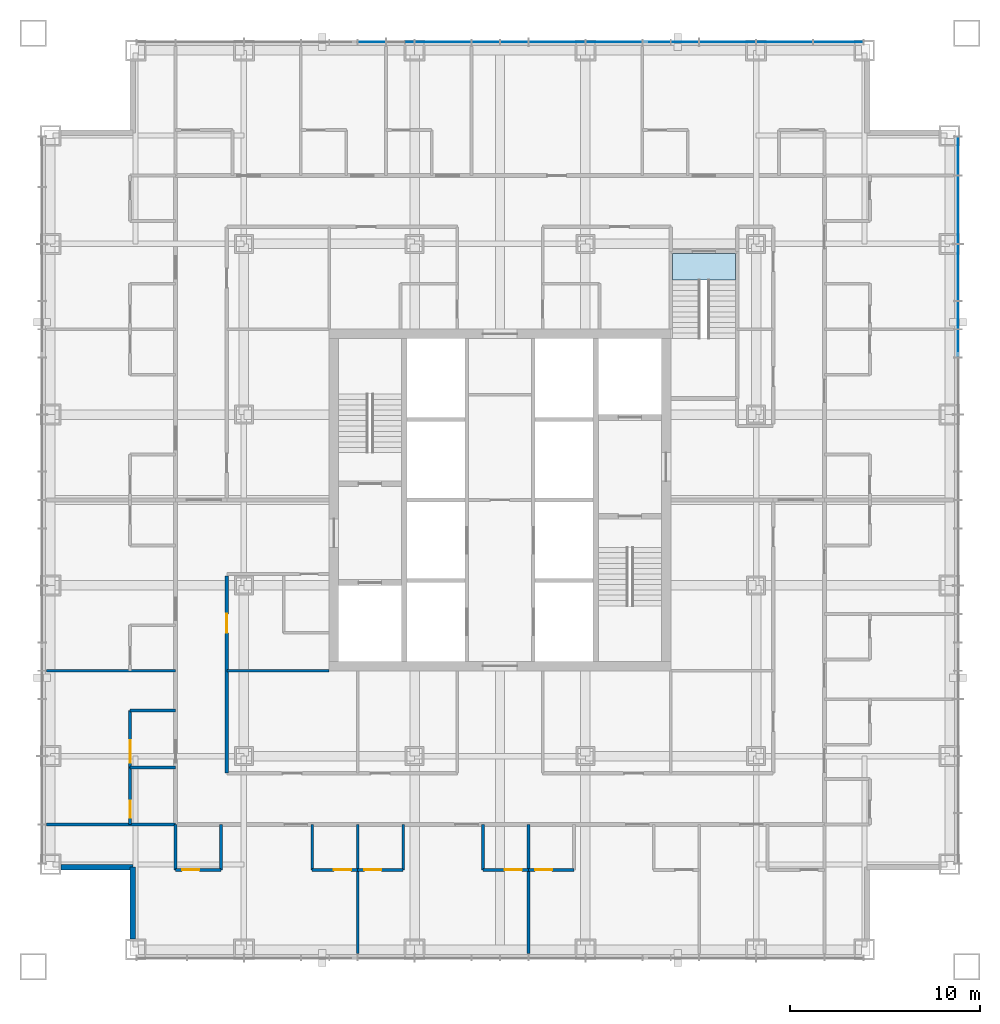
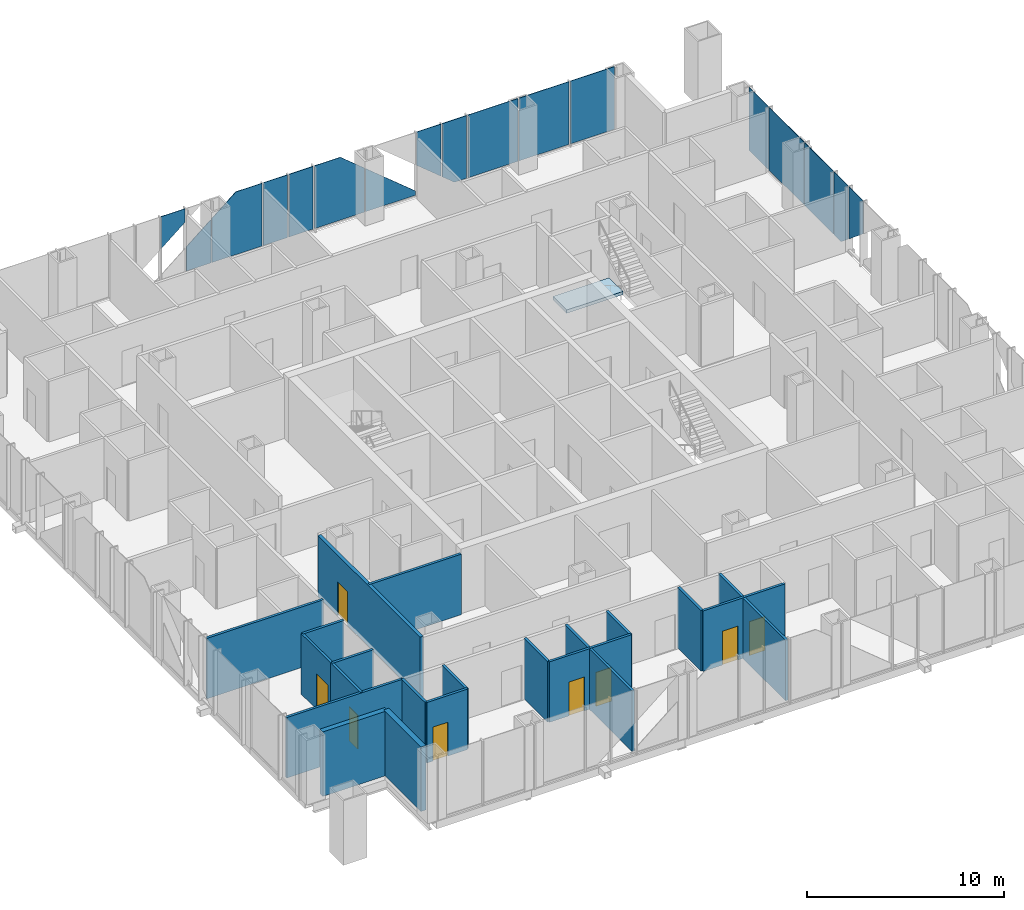
# One storey, part 8 of 18: 22 walls, 17 plates, 8 doors, 1 slab, 8 openings, 3 elements without a shape of their own.
"""IFC4 building model written with IfcOpenShell, lengths in metres."""

from ifc_helpers import new_model, si_unit, direction, frame, frame_2d, origin, origin_2d, place, context, subcontext, project, spatial, polyline, rectangle, outline, extrude, material, layer, layer_set, type_object, element, fill, aggregate, save


model = new_model("IFC4")

# Units and contexts
model_context = context("Model", 3, precision=1e-05, world=origin(), true_north=direction((0.0, 1.0)))
body_context = subcontext(model_context, "Body", "Model", "MODEL_VIEW")
ifc_project = project(units=[si_unit("LENGTHUNIT", "METRE"), si_unit("AREAUNIT", "SQUARE_METRE"), si_unit("VOLUMEUNIT", "CUBIC_METRE"), si_unit("PLANEANGLEUNIT", "RADIAN"), si_unit("MASSUNIT", "GRAM", prefix="KILO")], contexts=[model_context])

# Site, building, storey
site_placement = place(None, origin())
site = spatial("IfcSite", under=ifc_project, at=site_placement, CompositionType="ELEMENT")
building_placement = place(site_placement, origin())
building = spatial("IfcBuilding", under=site, at=building_placement, Name="Malebo Sky Hospital", CompositionType="ELEMENT")
storey_placement = place(building_placement, frame((0.0, 0.0, 112.0)))
storey = spatial("IfcBuildingStorey", under=building, at=storey_placement, Name="L26", CompositionType="ELEMENT", Elevation=112.0)

# Stair, slab
ifc_material_1 = material(Name="Concrete C40/50", Category="concrete")
stair_type = type_object("IfcStairType", Name="HALF-TURN STAIR 1400 R167", PredefinedType="HALF_TURN_STAIR", material=ifc_material_1)
stair_placement = place(storey_placement, origin())
stair = element("IfcStair", 1, at=stair_placement, inside=storey, type_object=stair_type, Name="Stair S3 L26 type ST1B", PredefinedType="HALF_TURN_STAIR")
ifc_layer_1 = layer(ifc_material_1, 0.199951171875)
ifc_layer_set_1 = layer_set([ifc_layer_1], Name="STAIR LANDING 200")
slab_type = type_object("IfcSlabType", Name="STAIR LANDING 200", PredefinedType="LANDING", material=ifc_layer_set_1)
slab_placement = place(storey_placement, frame((0.0, 0.0, -0.199951171875)))
slab = element("IfcSlab", 2, at=slab_placement, type_object=slab_type, Name="S3 landing 1", PredefinedType="LANDING", context=body_context, shape_type="SweptSolid", body=[
    extrude(outline(polyline([(69.10009765625, 73.60009765625), (72.39990234375, 73.60009765625), (72.39990234375, 75.0), (69.10009765625, 75.0), (69.10009765625, 73.60009765625)])), origin(), (0.0, 0.0, 1.0), 0.199951171875),
])
aggregate(stair, [slab])

# Curtain wall, plates
ifc_material_2 = material(Name="Anodised aluminium, natural silver", Category="aluminium")
ifc_layer_2 = layer(ifc_material_2, 0.25)
ifc_layer_set_2 = layer_set([ifc_layer_2], Name="WARD CURTAIN WALL NORTH AND SOUTH")
curtain_wall_type_1 = type_object("IfcCurtainWallType", Name="WARD CURTAIN WALL NORTH AND SOUTH", PredefinedType="NOTDEFINED", material=ifc_layer_set_2)
curtain_wall_1_placement = place(storey_placement, origin())
curtain_wall_1 = element("IfcCurtainWall", 3, at=curtain_wall_1_placement, inside=storey, type_object=curtain_wall_type_1, Name="NS curtain wall N", PredefinedType="NOTDEFINED")
ifc_material_3 = material(Name="Clear low-iron double glazing", Category="glass")
ifc_layer_3 = layer(ifc_material_3, 0.031982421875)
ifc_layer_set_3 = layer_set([ifc_layer_3], Name="VISION PANEL CLEAR 32")
plate_type = type_object("IfcPlateType", Name="VISION PANEL CLEAR 32", PredefinedType="CURTAIN_PANEL", material=ifc_layer_set_3)
plate_1_placement = place(storey_placement, frame((53.25, 86.135009765625, 1.985107421875), z_axis=(0.0, 0.0, 1.0), x_axis=(1.0, 0.0, 0.0)))
plate_1 = element("IfcPlate", 4, at=plate_1_placement, type_object=plate_type, Name="Panel 6", PredefinedType="CURTAIN_PANEL", context=body_context, shape_type="SweptSolid", body=[
    extrude(outline(polyline([(-0.71240234375, 0.0), (0.71240234375, 1.17431640625), (0.71240234375, 2.0048828125), (-0.71240234375, 2.0048828125), (-0.71240234375, 0.0)])), frame((0.0, 0.01611328125, 0.0), z_axis=(0.0, -1.0, 0.0), x_axis=(1.0, 0.0, 0.0)), (0.0, 0.0, 1.0), 0.031982421875),
])
plate_2_placement = place(storey_placement, frame((54.75, 86.135009765625, 0.10009765625), z_axis=(0.0, 0.0, 1.0), x_axis=(1.0, 0.0, 0.0)))
plate_2 = element("IfcPlate", 5, at=plate_2_placement, type_object=plate_type, Name="Panel 7", PredefinedType="CURTAIN_PANEL", context=body_context, shape_type="SweptSolid", body=[
    extrude(outline(polyline([(-0.71240234375, 0.0), (0.71240234375, 0.0), (0.71240234375, 2.6748046875), (-0.71240234375, 1.500244140625), (-0.71240234375, 0.0)])), frame((0.0, 0.01611328125, 0.0), z_axis=(0.0, -1.0, 0.0), x_axis=(1.0, 0.0, 0.0)), (0.0, 0.0, 1.0), 0.031982421875),
])
plate_3_placement = place(storey_placement, frame((57.0, 86.135009765625, 0.10009765625), z_axis=(0.0, 0.0, 1.0), x_axis=(1.0, 0.0, 0.0)))
plate_3 = element("IfcPlate", 6, at=plate_3_placement, type_object=plate_type, Name="Panel 8", PredefinedType="CURTAIN_PANEL", context=body_context, shape_type="SweptSolid", body=[
    extrude(outline(polyline([(-1.46240234375, 0.0), (1.46240234375, 0.0), (1.46240234375, 3.889892578125), (-0.06298828125, 3.889892578125), (-1.46240234375, 2.736572265625), (-1.46240234375, 0.0)])), frame((0.0, 0.01611328125, 0.0), z_axis=(0.0, -1.0, 0.0), x_axis=(1.0, 0.0, 0.0)), (0.0, 0.0, 1.0), 0.031982421875),
])
plate_4_placement = place(storey_placement, frame((59.25, 86.135009765625, 0.10009765625), z_axis=(0.0, 0.0, 1.0), x_axis=(1.0, 0.0, 0.0)))
plate_4 = element("IfcPlate", 7, at=plate_4_placement, type_object=plate_type, Name="Panel 9", PredefinedType="CURTAIN_PANEL", context=body_context, shape_type="SweptSolid", body=[
    extrude(rectangle(XDim=1.425048828125, YDim=0.031982421875, at=origin_2d()), origin(), (0.0, 0.0, 1.0), 3.889892578125),
])
plate_5_placement = place(storey_placement, frame((60.75, 86.135009765625, 0.10009765625), z_axis=(0.0, 0.0, 1.0), x_axis=(1.0, 0.0, 0.0)))
plate_5 = element("IfcPlate", 8, at=plate_5_placement, type_object=plate_type, Name="Panel 10", PredefinedType="CURTAIN_PANEL", context=body_context, shape_type="SweptSolid", body=[
    extrude(rectangle(XDim=1.425048828125, YDim=0.031982421875, at=origin_2d()), origin(), (0.0, 0.0, 1.0), 3.889892578125),
])
plate_6_placement = place(storey_placement, frame((63.0, 86.135009765625, 0.10009765625), z_axis=(0.0, 0.0, 1.0), x_axis=(1.0, 0.0, 0.0)))
plate_6 = element("IfcPlate", 9, at=plate_6_placement, type_object=plate_type, Name="Panel 11", PredefinedType="CURTAIN_PANEL", context=body_context, shape_type="SweptSolid", body=[
    extrude(outline(polyline([(-1.46240234375, 0.0), (1.46240234375, 0.0), (1.46240234375, 2.736572265625), (0.06298828125, 3.889892578125), (-1.46240234375, 3.889892578125), (-1.46240234375, 0.0)])), frame((0.0, 0.01611328125, 0.0), z_axis=(0.0, -1.0, 0.0), x_axis=(1.0, 0.0, 0.0)), (0.0, 0.0, 1.0), 0.031982421875),
])
plate_7_placement = place(storey_placement, frame((66.0, 86.135009765625, 0.10009765625), z_axis=(0.0, 0.0, 1.0), x_axis=(1.0, 0.0, 0.0)))
plate_7 = element("IfcPlate", 10, at=plate_7_placement, type_object=plate_type, Name="Panel 12", PredefinedType="CURTAIN_PANEL", context=body_context, shape_type="SweptSolid", body=[
    extrude(outline(polyline([(-1.46240234375, 0.0), (1.46240234375, 0.0), (1.46240234375, 0.263916015625), (-1.46240234375, 2.6748046875), (-1.46240234375, 0.0)])), frame((0.0, 0.01611328125, 0.0), z_axis=(0.0, -1.0, 0.0), x_axis=(1.0, 0.0, 0.0)), (0.0, 0.0, 1.0), 0.031982421875),
])
plate_8_placement = place(storey_placement, frame((68.25, 86.135009765625, 0.748779296875), z_axis=(0.0, 0.0, 1.0), x_axis=(1.0, 0.0, 0.0)))
plate_8 = element("IfcPlate", 11, at=plate_8_placement, type_object=plate_type, Name="Panel 13", PredefinedType="CURTAIN_PANEL", context=body_context, shape_type="SweptSolid", body=[
    extrude(outline(polyline([(0.71240234375, 0.0), (0.71240234375, 3.2412109375), (-0.71240234375, 3.2412109375), (-0.71240234375, 1.17431640625), (0.71240234375, 0.0)])), frame((0.0, 0.01611328125, 0.0), z_axis=(0.0, -1.0, 0.0), x_axis=(1.0, 0.0, 0.0)), (0.0, 0.0, 1.0), 0.031982421875),
])
plate_9_placement = place(storey_placement, frame((69.75, 86.135009765625, 0.10009765625), z_axis=(0.0, 0.0, 1.0), x_axis=(1.0, 0.0, 0.0)))
plate_9 = element("IfcPlate", 12, at=plate_9_placement, type_object=plate_type, Name="Panel 14", PredefinedType="CURTAIN_PANEL", context=body_context, shape_type="SweptSolid", body=[
    extrude(outline(polyline([(-0.000244140625, 0.0), (0.71240234375, 0.0), (0.71240234375, 3.889892578125), (-0.71240234375, 3.889892578125), (-0.71240234375, 0.587158203125), (-0.000244140625, 0.0)])), frame((0.0, 0.01611328125, 0.0), z_axis=(0.0, -1.0, 0.0), x_axis=(1.0, 0.0, 0.0)), (0.0, 0.0, 1.0), 0.031982421875),
])
plate_10_placement = place(storey_placement, frame((72.0, 86.135009765625, 0.10009765625), z_axis=(0.0, 0.0, 1.0), x_axis=(1.0, 0.0, 0.0)))
plate_10 = element("IfcPlate", 13, at=plate_10_placement, type_object=plate_type, Name="Panel 15", PredefinedType="CURTAIN_PANEL", context=body_context, shape_type="SweptSolid", body=[
    extrude(rectangle(XDim=2.925048828125, YDim=0.031982421875, at=origin_2d()), origin(), (0.0, 0.0, 1.0), 3.889892578125),
])
plate_11_placement = place(storey_placement, frame((75.0, 86.135009765625, 0.10009765625), z_axis=(0.0, 0.0, 1.0), x_axis=(1.0, 0.0, 0.0)))
plate_11 = element("IfcPlate", 14, at=plate_11_placement, type_object=plate_type, Name="Panel 16", PredefinedType="CURTAIN_PANEL", context=body_context, shape_type="SweptSolid", body=[
    extrude(rectangle(XDim=2.925048828125, YDim=0.031982421875, at=origin_2d()), origin(), (0.0, 0.0, 1.0), 3.889892578125),
])
plate_12_placement = place(storey_placement, frame((77.831298828125, 86.135009765625, 0.10009765625), z_axis=(0.0, 0.0, 1.0), x_axis=(1.0, 0.0, 0.0)))
plate_12 = element("IfcPlate", 15, at=plate_12_placement, type_object=plate_type, Name="Panel 17", PredefinedType="CURTAIN_PANEL", context=body_context, shape_type="SweptSolid", body=[
    extrude(rectangle(XDim=2.58740234375, YDim=0.031982421875, at=origin_2d()), origin(), (0.0, 0.0, 1.0), 3.889892578125),
])
aggregate(curtain_wall_1, [plate_1, plate_2, plate_3, plate_4, plate_5, plate_6, plate_7, plate_8, plate_9, plate_10, plate_11, plate_12])

ifc_layer_4 = layer(ifc_material_2, 0.25)
ifc_layer_set_4 = layer_set([ifc_layer_4], Name="WARD CURTAIN WALL EAST AND WEST")
curtain_wall_type_2 = type_object("IfcCurtainWallType", Name="WARD CURTAIN WALL EAST AND WEST", PredefinedType="NOTDEFINED", material=ifc_layer_set_4)
curtain_wall_2_placement = place(storey_placement, origin())
curtain_wall_2 = element("IfcCurtainWall", 16, at=curtain_wall_2_placement, inside=storey, type_object=curtain_wall_type_2, Name="EW curtain wall E", PredefinedType="NOTDEFINED")
plate_13_placement = place(storey_placement, frame((84.135009765625, 80.13134765625, 0.10009765625), z_axis=(0.0, 0.0, 1.0), x_axis=(0.0, -1.0, 0.0)))
plate_13 = element("IfcPlate", 17, at=plate_13_placement, type_object=plate_type, Name="Panel 1", PredefinedType="CURTAIN_PANEL", context=body_context, shape_type="SweptSolid", body=[
    extrude(rectangle(XDim=1.987548828125, YDim=0.031982421875, at=origin_2d()), origin(), (0.0, 0.0, 1.0), 3.889892578125),
])
plate_14_placement = place(storey_placement, frame((84.135009765625, 77.300048828125, 0.10009765625), z_axis=(0.0, 0.0, 1.0), x_axis=(0.0, -1.0, 0.0)))
plate_14 = element("IfcPlate", 18, at=plate_14_placement, type_object=plate_type, Name="Panel 2", PredefinedType="CURTAIN_PANEL", context=body_context, shape_type="SweptSolid", body=[
    extrude(rectangle(XDim=3.52490234375, YDim=0.031982421875, at=origin_2d()), origin(), (0.0, 0.0, 1.0), 3.889892578125),
])
plate_15_placement = place(storey_placement, frame((84.135009765625, 74.0, 0.10009765625), z_axis=(0.0, 0.0, 1.0), x_axis=(0.0, -1.0, 0.0)))
plate_15 = element("IfcPlate", 19, at=plate_15_placement, type_object=plate_type, Name="Panel 3", PredefinedType="CURTAIN_PANEL", context=body_context, shape_type="SweptSolid", body=[
    extrude(rectangle(XDim=2.925048828125, YDim=0.031982421875, at=origin_2d()), origin(), (0.0, 0.0, 1.0), 3.889892578125),
])
plate_16_placement = place(storey_placement, frame((84.135009765625, 71.75, 0.10009765625), z_axis=(0.0, 0.0, 1.0), x_axis=(0.0, -1.0, 0.0)))
plate_16 = element("IfcPlate", 20, at=plate_16_placement, type_object=plate_type, Name="Panel 4", PredefinedType="CURTAIN_PANEL", context=body_context, shape_type="SweptSolid", body=[
    extrude(outline(polyline([(-0.71240234375, 0.0), (0.000244140625, 0.0), (0.71240234375, 0.587158203125), (0.71240234375, 3.889892578125), (-0.71240234375, 3.889892578125), (-0.71240234375, 0.0)])), frame((0.0, 0.01611328125, 0.0), z_axis=(0.0, -1.0, 0.0), x_axis=(1.0, 0.0, 0.0)), (0.0, 0.0, 1.0), 0.031982421875),
])
plate_17_placement = place(storey_placement, frame((84.135009765625, 70.25, 0.748779296875), z_axis=(0.0, 0.0, 1.0), x_axis=(0.0, -1.0, 0.0)))
plate_17 = element("IfcPlate", 21, at=plate_17_placement, type_object=plate_type, Name="Panel 5", PredefinedType="CURTAIN_PANEL", context=body_context, shape_type="SweptSolid", body=[
    extrude(outline(polyline([(-0.71240234375, 0.0), (0.71240234375, 1.17431640625), (0.71240234375, 3.2412109375), (-0.71240234375, 3.2412109375), (-0.71240234375, 0.0)])), frame((0.0, 0.01611328125, 0.0), z_axis=(0.0, -1.0, 0.0), x_axis=(1.0, 0.0, 0.0)), (0.0, 0.0, 1.0), 0.031982421875),
])
aggregate(curtain_wall_2, [plate_13, plate_14, plate_15, plate_16, plate_17])

# Wall, opening, door
ifc_material_4 = material(Name="Gypsum board on steel studs", Category="steel")
ifc_layer_5 = layer(ifc_material_4, 0.199951171875)
ifc_layer_set_5 = layer_set([ifc_layer_5], Name="CORRIDOR WALL 200")
wall_type_1 = type_object("IfcWallType", Name="CORRIDOR WALL 200", PredefinedType="PARTITIONING", material=ifc_layer_set_5)
wall_1_placement = place(storey_placement, frame((45.60009765625, 47.60009765625, 0.0), z_axis=(0.0, 0.0, 1.0), x_axis=(0.0, 1.0, 0.0)))
wall_1 = element("IfcWall", 22, at=wall_1_placement, inside=storey, type_object=wall_type_1, Name="Corridor Wall 200 WCI1", PredefinedType="PARTITIONING", context=body_context, shape_type="SweptSolid", body=[
    extrude(rectangle(XDim=10.39990234375, YDim=0.199951171875, at=frame_2d((5.199951171875, 0.0))), origin(), (0.0, 0.0, 1.0), 3.75),
])
opening_1_placement = place(wall_1_placement, frame((7.39990234375, 0.0, 0.0)))
opening_1 = element("IfcOpeningElement", 23, at=opening_1_placement, cuts=wall_1, Name="Opening D03", PredefinedType="OPENING", context=body_context, shape_type="SweptSolid", body=[
    extrude(rectangle(XDim=1.0, YDim=2.10009765625, at=frame_2d((0.5, 1.050048828125))), frame((0.0, 0.10986328125, 0.0), z_axis=(0.0, -1.0, 0.0), x_axis=(1.0, 0.0, 0.0)), (0.0, 0.0, 1.0), 0.219970703125),
])
ifc_material_5 = material(Name="Hardwood-faced door leaf in steel frame", Category="steel")
door_type_1 = type_object("IfcDoorType", Name="ROOM DOOR 1000", OperationType="SINGLE_SWING_LEFT", PredefinedType="DOOR", material=ifc_material_5)
door_1_placement = place(opening_1_placement, origin())
door_1 = element("IfcDoor", 24, at=door_1_placement, inside=storey, type_object=door_type_1, Name="Linen store door", OperationType="SINGLE_SWING_LEFT", OverallHeight=2.10009765625, OverallWidth=1.0, PredefinedType="DOOR", context=body_context, shape_type="SweptSolid", body=[
    extrude(rectangle(XDim=1.0, YDim=2.10009765625, at=frame_2d((0.5, 1.050048828125))), frame((0.0, 0.02490234375, 0.0), z_axis=(0.0, -1.0, 0.0), x_axis=(1.0, 0.0, 0.0)), (0.0, 0.0, 1.0), 0.050048828125),
])
fill(opening_1, door_1)

# Walls
ifc_material_6 = material(Name="Anodised aluminium rainscreen on steel framing", Category="steel")
ifc_layer_6 = layer(ifc_material_6, 0.300048828125)
ifc_layer_set_6 = layer_set([ifc_layer_6], Name="NOTCH RAINSCREEN WALL 300")
wall_type_2 = type_object("IfcWallType", Name="NOTCH RAINSCREEN WALL 300", PredefinedType="ELEMENTEDWALL", material=ifc_layer_set_6)
for number, where, z_axis, x_axis, name in (
    (25, (40.64990234375, 38.85009765625, 0.0), (0.0, 0.0, 1.0), (0.0, 1.0, 0.0), "Notch rainscreen wall S1 L26"),
    (26, (40.64990234375, 42.64990234375, 0.0), (0.0, 0.0, 1.0), (-1.0, 0.0, 0.0), "Notch rainscreen wall S2 L26"),
):
    element("IfcWall", number, at=place(storey_placement, frame(where, z_axis=z_axis, x_axis=x_axis)), inside=storey, type_object=wall_type_2, Name=name, PredefinedType="ELEMENTEDWALL", context=body_context, shape_type="SweptSolid", body=[
        extrude(rectangle(XDim=3.7998046875, YDim=0.300048828125, at=frame_2d((1.89990234375, 0.0))), origin(), (0.0, 0.0, 1.0), 4.0),
    ])
ifc_layer_7 = layer(ifc_material_4, 0.14990234375)
ifc_layer_set_7 = layer_set([ifc_layer_7], Name="PARTITION 150")
wall_type_3 = type_object("IfcWallType", Name="PARTITION 150", PredefinedType="PARTITIONING", material=ifc_layer_set_7)
for number, where, z_axis, x_axis, name in (
    (27, (42.89990234375, 53.0, 0.0), (0.0, 0.0, 1.0), (-1.0, 0.0, 0.0), "Partition 150 WP-9.0"),
    (28, (42.89990234375, 44.89990234375, 0.0), (0.0, 0.0, 1.0), (-1.0, 0.0, 0.0), "Partition 150 WP0"),
):
    element("IfcWall", number, at=place(storey_placement, frame(where, z_axis=z_axis, x_axis=x_axis)), inside=storey, type_object=wall_type_3, Name=name, PredefinedType="PARTITIONING", context=body_context, shape_type="SweptSolid", body=[
        extrude(rectangle(XDim=6.809814453125, YDim=0.14990234375, at=frame_2d((3.40478515625, 0.0))), origin(), (0.0, 0.0, 1.0), 3.75),
    ])

# Wall, opening, door
wall_2_placement = place(storey_placement, frame((40.5, 44.89990234375, 0.0), z_axis=(0.0, 0.0, 1.0), x_axis=(0.0, 1.0, 0.0)))
wall_2 = element("IfcWall", 29, at=wall_2_placement, inside=storey, type_object=wall_type_3, Name="Partition 150 WE0F", PredefinedType="PARTITIONING", context=body_context, shape_type="SweptSolid", body=[
    extrude(rectangle(XDim=3.0, YDim=0.14990234375, at=frame_2d((1.5, 0.0))), origin(), (0.0, 0.0, 1.0), 3.75),
])
opening_2_placement = place(wall_2_placement, frame((0.35009765625, 0.0, 0.0)))
opening_2 = element("IfcOpeningElement", 30, at=opening_2_placement, cuts=wall_2, Name="Opening D02", PredefinedType="OPENING", context=body_context, shape_type="SweptSolid", body=[
    extrude(rectangle(XDim=0.89990234375, YDim=2.10009765625, at=frame_2d((0.449951171875, 1.050048828125))), frame((0.0, 0.0849609375, 0.0), z_axis=(0.0, -1.0, 0.0), x_axis=(1.0, 0.0, 0.0)), (0.0, 0.0, 1.0), 0.169921875),
])
door_type_2 = type_object("IfcDoorType", Name="EN-SUITE DOOR 900", OperationType="SINGLE_SWING_LEFT", PredefinedType="DOOR", material=ifc_material_5)
door_2_placement = place(opening_2_placement, origin())
door_2 = element("IfcDoor", 31, at=door_2_placement, inside=storey, type_object=door_type_2, Name="En-suite door", OperationType="SINGLE_SWING_LEFT", OverallHeight=2.10009765625, OverallWidth=0.89990234375, PredefinedType="DOOR", context=body_context, shape_type="SweptSolid", body=[
    extrude(rectangle(XDim=0.89990234375, YDim=2.10009765625, at=frame_2d((0.449951171875, 1.050048828125))), frame((0.0, 0.02490234375, 0.0), z_axis=(0.0, -1.0, 0.0), x_axis=(1.0, 0.0, 0.0)), (0.0, 0.0, 1.0), 0.050048828125),
])
fill(opening_2, door_2)

# Walls
wall_3_placement = place(storey_placement, frame((42.89990234375, 47.89990234375, 0.0), z_axis=(0.0, 0.0, 1.0), x_axis=(-1.0, 0.0, 0.0)))
element("IfcWall", 32, at=wall_3_placement, inside=storey, type_object=wall_type_3, Name="Partition 150 WE0S", PredefinedType="PARTITIONING", context=body_context, shape_type="SweptSolid", body=[
    extrude(rectangle(XDim=2.39990234375, YDim=0.14990234375, at=frame_2d((1.199951171875, 0.0))), origin(), (0.0, 0.0, 1.0), 3.75),
])
wall_4_placement = place(storey_placement, frame((51.0, 53.0, 0.0), z_axis=(0.0, 0.0, 1.0), x_axis=(-1.0, 0.0, 0.0)))
element("IfcWall", 33, at=wall_4_placement, inside=storey, type_object=wall_type_3, Name="Partition 150 WSP0", PredefinedType="PARTITIONING", context=body_context, shape_type="SweptSolid", body=[
    extrude(rectangle(XDim=5.39990234375, YDim=0.14990234375, at=frame_2d((2.699951171875, 0.0))), origin(), (0.0, 0.0, 1.0), 3.75),
])
for number, where, z_axis, x_axis, name in (
    (34, (61.5, 44.89990234375, 0.0), (0.0, 0.0, 1.0), (0.0, -1.0, 0.0), "Partition 150 SP-1.5"),
    (35, (52.5, 44.89990234375, 0.0), (0.0, 0.0, 1.0), (0.0, -1.0, 0.0), "Partition 150 SP+7.5"),
):
    element("IfcWall", number, at=place(storey_placement, frame(where, z_axis=z_axis, x_axis=x_axis)), inside=storey, type_object=wall_type_3, Name=name, PredefinedType="PARTITIONING", context=body_context, shape_type="SweptSolid", body=[
        extrude(rectangle(XDim=6.809814453125, YDim=0.14990234375, at=frame_2d((3.40478515625, 0.0))), origin(), (0.0, 0.0, 1.0), 3.75),
    ])

# Wall, opening, door
wall_5_placement = place(storey_placement, frame((63.89990234375, 42.5, 0.0), z_axis=(0.0, 0.0, 1.0), x_axis=(-1.0, 0.0, 0.0)))
wall_5 = element("IfcWall", 36, at=wall_5_placement, inside=storey, type_object=wall_type_3, Name="Partition 150 SG1F", PredefinedType="PARTITIONING", context=body_context, shape_type="SweptSolid", body=[
    extrude(rectangle(XDim=2.39990234375, YDim=0.14990234375, at=frame_2d((1.199951171875, 0.0))), origin(), (0.0, 0.0, 1.0), 3.75),
])
opening_3_placement = place(wall_5_placement, frame((1.14990234375, 0.0, 0.0)))
opening_3 = element("IfcOpeningElement", 37, at=opening_3_placement, cuts=wall_5, Name="Opening D02", PredefinedType="OPENING", context=body_context, shape_type="SweptSolid", body=[
    extrude(rectangle(XDim=0.89990234375, YDim=2.10009765625, at=frame_2d((0.449951171875, 1.050048828125))), frame((0.0, 0.0849609375, 0.0), z_axis=(0.0, -1.0, 0.0), x_axis=(1.0, 0.0, 0.0)), (0.0, 0.0, 1.0), 0.169921875),
])
door_3_placement = place(opening_3_placement, origin())
door_3 = element("IfcDoor", 38, at=door_3_placement, inside=storey, type_object=door_type_2, Name="En-suite door", OperationType="SINGLE_SWING_RIGHT", OverallHeight=2.10009765625, OverallWidth=0.89990234375, PredefinedType="DOOR", context=body_context, shape_type="SweptSolid", body=[
    extrude(rectangle(XDim=0.89990234375, YDim=2.10009765625, at=frame_2d((0.449951171875, 1.050048828125))), frame((0.0, 0.02490234375, 0.0), z_axis=(0.0, -1.0, 0.0), x_axis=(1.0, 0.0, 0.0)), (0.0, 0.0, 1.0), 0.050048828125),
])
fill(opening_3, door_3)

wall_6_placement = place(storey_placement, frame((61.5, 42.5, 0.0), z_axis=(0.0, 0.0, 1.0), x_axis=(-1.0, 0.0, 0.0)))
wall_6 = element("IfcWall", 39, at=wall_6_placement, inside=storey, type_object=wall_type_3, Name="Partition 150 SE2F", PredefinedType="PARTITIONING", context=body_context, shape_type="SweptSolid", body=[
    extrude(rectangle(XDim=2.39990234375, YDim=0.14990234375, at=frame_2d((1.199951171875, 0.0))), origin(), (0.0, 0.0, 1.0), 3.75),
])
opening_4_placement = place(wall_6_placement, frame((0.35009765625, 0.0, 0.0)))
opening_4 = element("IfcOpeningElement", 40, at=opening_4_placement, cuts=wall_6, Name="Opening D02", PredefinedType="OPENING", context=body_context, shape_type="SweptSolid", body=[
    extrude(rectangle(XDim=0.89990234375, YDim=2.10009765625, at=frame_2d((0.449951171875, 1.050048828125))), frame((0.0, 0.0849609375, 0.0), z_axis=(0.0, -1.0, 0.0), x_axis=(1.0, 0.0, 0.0)), (0.0, 0.0, 1.0), 0.169921875),
])
door_4_placement = place(opening_4_placement, origin())
door_4 = element("IfcDoor", 41, at=door_4_placement, inside=storey, type_object=door_type_2, Name="En-suite door", OperationType="SINGLE_SWING_LEFT", OverallHeight=2.10009765625, OverallWidth=0.89990234375, PredefinedType="DOOR", context=body_context, shape_type="SweptSolid", body=[
    extrude(rectangle(XDim=0.89990234375, YDim=2.10009765625, at=frame_2d((0.449951171875, 1.050048828125))), frame((0.0, 0.02490234375, 0.0), z_axis=(0.0, -1.0, 0.0), x_axis=(1.0, 0.0, 0.0)), (0.0, 0.0, 1.0), 0.050048828125),
])
fill(opening_4, door_4)

# Wall
wall_7_placement = place(storey_placement, frame((59.10009765625, 44.89990234375, 0.0), z_axis=(0.0, 0.0, 1.0), x_axis=(0.0, -1.0, 0.0)))
element("IfcWall", 42, at=wall_7_placement, inside=storey, type_object=wall_type_3, Name="Partition 150 SE2S", PredefinedType="PARTITIONING", context=body_context, shape_type="SweptSolid", body=[
    extrude(rectangle(XDim=2.39990234375, YDim=0.14990234375, at=frame_2d((1.199951171875, 0.0))), origin(), (0.0, 0.0, 1.0), 3.75),
])

# Wall, opening, door
wall_8_placement = place(storey_placement, frame((54.89990234375, 42.5, 0.0), z_axis=(0.0, 0.0, 1.0), x_axis=(-1.0, 0.0, 0.0)))
wall_8 = element("IfcWall", 43, at=wall_8_placement, inside=storey, type_object=wall_type_3, Name="Partition 150 SG2F", PredefinedType="PARTITIONING", context=body_context, shape_type="SweptSolid", body=[
    extrude(rectangle(XDim=2.39990234375, YDim=0.14990234375, at=frame_2d((1.199951171875, 0.0))), origin(), (0.0, 0.0, 1.0), 3.75),
])
opening_5_placement = place(wall_8_placement, frame((1.14990234375, 0.0, 0.0)))
opening_5 = element("IfcOpeningElement", 44, at=opening_5_placement, cuts=wall_8, Name="Opening D02", PredefinedType="OPENING", context=body_context, shape_type="SweptSolid", body=[
    extrude(rectangle(XDim=0.89990234375, YDim=2.10009765625, at=frame_2d((0.449951171875, 1.050048828125))), frame((0.0, 0.0849609375, 0.0), z_axis=(0.0, -1.0, 0.0), x_axis=(1.0, 0.0, 0.0)), (0.0, 0.0, 1.0), 0.169921875),
])
door_5_placement = place(opening_5_placement, origin())
door_5 = element("IfcDoor", 45, at=door_5_placement, inside=storey, type_object=door_type_2, Name="En-suite door", OperationType="SINGLE_SWING_RIGHT", OverallHeight=2.10009765625, OverallWidth=0.89990234375, PredefinedType="DOOR", context=body_context, shape_type="SweptSolid", body=[
    extrude(rectangle(XDim=0.89990234375, YDim=2.10009765625, at=frame_2d((0.449951171875, 1.050048828125))), frame((0.0, 0.02490234375, 0.0), z_axis=(0.0, -1.0, 0.0), x_axis=(1.0, 0.0, 0.0)), (0.0, 0.0, 1.0), 0.050048828125),
])
fill(opening_5, door_5)

# Wall
wall_9_placement = place(storey_placement, frame((54.89990234375, 44.89990234375, 0.0), z_axis=(0.0, 0.0, 1.0), x_axis=(0.0, -1.0, 0.0)))
element("IfcWall", 46, at=wall_9_placement, inside=storey, type_object=wall_type_3, Name="Partition 150 SG2S", PredefinedType="PARTITIONING", context=body_context, shape_type="SweptSolid", body=[
    extrude(rectangle(XDim=2.39990234375, YDim=0.14990234375, at=frame_2d((1.199951171875, 0.0))), origin(), (0.0, 0.0, 1.0), 3.75),
])

# Wall, opening, door
wall_10_placement = place(storey_placement, frame((52.5, 42.5, 0.0), z_axis=(0.0, 0.0, 1.0), x_axis=(-1.0, 0.0, 0.0)))
wall_10 = element("IfcWall", 47, at=wall_10_placement, inside=storey, type_object=wall_type_3, Name="Partition 150 SE3F", PredefinedType="PARTITIONING", context=body_context, shape_type="SweptSolid", body=[
    extrude(rectangle(XDim=2.39990234375, YDim=0.14990234375, at=frame_2d((1.199951171875, 0.0))), origin(), (0.0, 0.0, 1.0), 3.75),
])
opening_6_placement = place(wall_10_placement, frame((0.35009765625, 0.0, 0.0)))
opening_6 = element("IfcOpeningElement", 48, at=opening_6_placement, cuts=wall_10, Name="Opening D02", PredefinedType="OPENING", context=body_context, shape_type="SweptSolid", body=[
    extrude(rectangle(XDim=0.89990234375, YDim=2.10009765625, at=frame_2d((0.449951171875, 1.050048828125))), frame((0.0, 0.0849609375, 0.0), z_axis=(0.0, -1.0, 0.0), x_axis=(1.0, 0.0, 0.0)), (0.0, 0.0, 1.0), 0.169921875),
])
door_6_placement = place(opening_6_placement, origin())
door_6 = element("IfcDoor", 49, at=door_6_placement, inside=storey, type_object=door_type_2, Name="En-suite door", OperationType="SINGLE_SWING_LEFT", OverallHeight=2.10009765625, OverallWidth=0.89990234375, PredefinedType="DOOR", context=body_context, shape_type="SweptSolid", body=[
    extrude(rectangle(XDim=0.89990234375, YDim=2.10009765625, at=frame_2d((0.449951171875, 1.050048828125))), frame((0.0, 0.02490234375, 0.0), z_axis=(0.0, -1.0, 0.0), x_axis=(1.0, 0.0, 0.0)), (0.0, 0.0, 1.0), 0.050048828125),
])
fill(opening_6, door_6)

# Wall
wall_11_placement = place(storey_placement, frame((50.10009765625, 44.89990234375, 0.0), z_axis=(0.0, 0.0, 1.0), x_axis=(0.0, -1.0, 0.0)))
element("IfcWall", 50, at=wall_11_placement, inside=storey, type_object=wall_type_3, Name="Partition 150 SE3S", PredefinedType="PARTITIONING", context=body_context, shape_type="SweptSolid", body=[
    extrude(rectangle(XDim=2.39990234375, YDim=0.14990234375, at=frame_2d((1.199951171875, 0.0))), origin(), (0.0, 0.0, 1.0), 3.75),
])

# Wall, opening, door
wall_12_placement = place(storey_placement, frame((45.300048828125, 42.5, 0.0), z_axis=(0.0, 0.0, 1.0), x_axis=(-1.0, 0.0, 0.0)))
wall_12 = element("IfcWall", 51, at=wall_12_placement, inside=storey, type_object=wall_type_3, Name="Partition 150 SG3F", PredefinedType="PARTITIONING", context=body_context, shape_type="SweptSolid", body=[
    extrude(rectangle(XDim=2.400146484375, YDim=0.14990234375, at=frame_2d((1.2001953125, 0.0))), origin(), (0.0, 0.0, 1.0), 3.75),
])
opening_7_placement = place(wall_12_placement, frame((1.14990234375, 0.0, 0.0)))
opening_7 = element("IfcOpeningElement", 52, at=opening_7_placement, cuts=wall_12, Name="Opening D02", PredefinedType="OPENING", context=body_context, shape_type="SweptSolid", body=[
    extrude(rectangle(XDim=0.89990234375, YDim=2.10009765625, at=frame_2d((0.449951171875, 1.050048828125))), frame((0.0, 0.0849609375, 0.0), z_axis=(0.0, -1.0, 0.0), x_axis=(1.0, 0.0, 0.0)), (0.0, 0.0, 1.0), 0.169921875),
])
door_7_placement = place(opening_7_placement, origin())
door_7 = element("IfcDoor", 53, at=door_7_placement, inside=storey, type_object=door_type_2, Name="En-suite door", OperationType="SINGLE_SWING_RIGHT", OverallHeight=2.10009765625, OverallWidth=0.89990234375, PredefinedType="DOOR", context=body_context, shape_type="SweptSolid", body=[
    extrude(rectangle(XDim=0.89990234375, YDim=2.10009765625, at=frame_2d((0.449951171875, 1.050048828125))), frame((0.0, 0.02490234375, 0.0), z_axis=(0.0, -1.0, 0.0), x_axis=(1.0, 0.0, 0.0)), (0.0, 0.0, 1.0), 0.050048828125),
])
fill(opening_7, door_7)

# Walls
for number, where, z_axis, x_axis, name in (
    (54, (45.300048828125, 44.89990234375, 0.0), (0.0, 0.0, 1.0), (0.0, -1.0, 0.0), "Partition 150 SG3S"),
    (55, (42.89990234375, 44.89990234375, 0.0), (0.0, 0.0, 1.0), (0.0, -1.0, 0.0), "Partition 150 SEZ"),
):
    element("IfcWall", number, at=place(storey_placement, frame(where, z_axis=z_axis, x_axis=x_axis)), inside=storey, type_object=wall_type_3, Name=name, PredefinedType="PARTITIONING", context=body_context, shape_type="SweptSolid", body=[
        extrude(rectangle(XDim=2.39990234375, YDim=0.14990234375, at=frame_2d((1.199951171875, 0.0))), origin(), (0.0, 0.0, 1.0), 3.75),
    ])

# Wall, opening, door
ifc_material_7 = material(Name="Sealed gypsum board on steel studs, taped to the slab", Category="steel")
ifc_layer_8 = layer(ifc_material_7, 0.14990234375)
ifc_layer_set_8 = layer_set([ifc_layer_8], Name="SEALED ISOLATION PARTITION 150")
wall_type_4 = type_object("IfcWallType", Name="SEALED ISOLATION PARTITION 150", PredefinedType="PARTITIONING", material=ifc_layer_set_8)
wall_13_placement = place(storey_placement, frame((40.5, 47.89990234375, 0.0), z_axis=(0.0, 0.0, 1.0), x_axis=(0.0, 1.0, 0.0)))
wall_13 = element("IfcWall", 56, at=wall_13_placement, inside=storey, type_object=wall_type_4, Name="Sealed Isolation Partition 150 WA0F", PredefinedType="PARTITIONING", context=body_context, shape_type="SweptSolid", body=[
    extrude(rectangle(XDim=3.0, YDim=0.14990234375, at=frame_2d((1.5, 0.0))), origin(), (0.0, 0.0, 1.0), 3.75),
])
opening_8_placement = place(wall_13_placement, frame((0.25, 0.0, 0.0)))
opening_8 = element("IfcOpeningElement", 57, at=opening_8_placement, cuts=wall_13, Name="Opening D19", PredefinedType="OPENING", context=body_context, shape_type="SweptSolid", body=[
    extrude(rectangle(XDim=1.199951171875, YDim=2.199951171875, at=frame_2d((0.60009765625, 1.10009765625))), frame((0.0, 0.0849609375, 0.0), z_axis=(0.0, -1.0, 0.0), x_axis=(1.0, 0.0, 0.0)), (0.0, 0.0, 1.0), 0.169921875),
])
ifc_material_8 = material(Name="Hardwood-faced door leaf with perimeter seals in steel frame", Category="steel")
door_type_3 = type_object("IfcDoorType", Name="SEALED ISOLATION ROOM DOOR 1200", OperationType="SINGLE_SWING_LEFT", PredefinedType="DOOR", material=ifc_material_8)
door_8_placement = place(opening_8_placement, origin())
door_8 = element("IfcDoor", 58, at=door_8_placement, inside=storey, type_object=door_type_3, Name="Isolation room door", OperationType="SINGLE_SWING_LEFT", OverallHeight=2.199951171875, OverallWidth=1.199951171875, PredefinedType="DOOR", context=body_context, shape_type="SweptSolid", body=[
    extrude(rectangle(XDim=1.199951171875, YDim=2.199951171875, at=frame_2d((0.60009765625, 1.10009765625))), frame((0.0, 0.02490234375, 0.0), z_axis=(0.0, -1.0, 0.0), x_axis=(1.0, 0.0, 0.0)), (0.0, 0.0, 1.0), 0.050048828125),
])
fill(opening_8, door_8)

# Wall
wall_14_placement = place(storey_placement, frame((42.89990234375, 50.89990234375, 0.0), z_axis=(0.0, 0.0, 1.0), x_axis=(-1.0, 0.0, 0.0)))
element("IfcWall", 59, at=wall_14_placement, inside=storey, type_object=wall_type_4, Name="Sealed Isolation Partition 150 WA0S", PredefinedType="PARTITIONING", context=body_context, shape_type="SweptSolid", body=[
    extrude(rectangle(XDim=2.39990234375, YDim=0.14990234375, at=frame_2d((1.199951171875, 0.0))), origin(), (0.0, 0.0, 1.0), 3.75),
])

save(model, "model.ifc")
